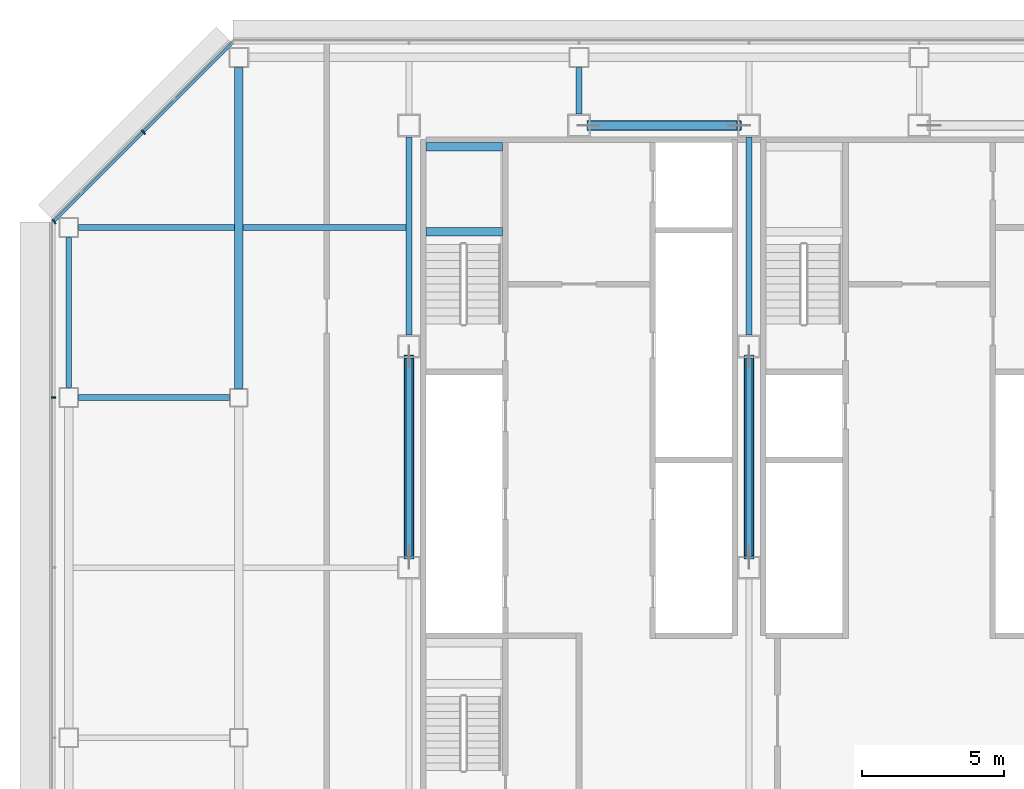
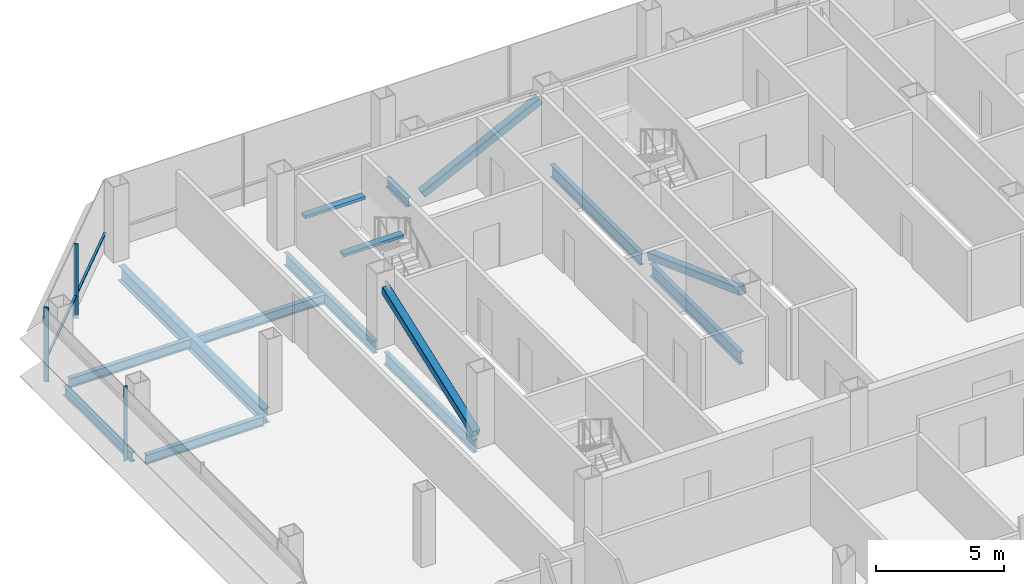
# One storey, part 11 of 26: 12 beams, 7 members, 2 elements without a shape of their own.
"""IFC4 building model written with IfcOpenShell, lengths in metres."""

from ifc_helpers import new_model, si_unit, direction, frame, origin, origin_2d, place, context, subcontext, project, spatial, rectangle, hollow_rectangle, i_section, extrude, material, material_profile, profile_set, type_object, element, aggregate, save


model = new_model("IFC4")

# Units and contexts
model_context = context("Model", 3, precision=1e-05, world=origin(), true_north=direction((0.0, 1.0)))
body_context = subcontext(model_context, "Body", "Model", "MODEL_VIEW")
ifc_project = project(units=[si_unit("LENGTHUNIT", "METRE"), si_unit("AREAUNIT", "SQUARE_METRE"), si_unit("VOLUMEUNIT", "CUBIC_METRE"), si_unit("PLANEANGLEUNIT", "RADIAN"), si_unit("MASSUNIT", "GRAM", prefix="KILO")], contexts=[model_context])

# Site, building, storey
site_placement = place(None, origin())
site = spatial("IfcSite", under=ifc_project, at=site_placement, CompositionType="ELEMENT")
building_placement = place(site_placement, origin())
building = spatial("IfcBuilding", under=site, at=building_placement, Name="Sorahane Residences", CompositionType="ELEMENT")
storey_placement = place(building_placement, frame((0.0, 0.0, 158.199951171875)))
storey = spatial("IfcBuildingStorey", under=building, at=storey_placement, Name="L36", CompositionType="ELEMENT", Elevation=158.199951171875)

# Members
ifc_material_1 = material(Name="Steel Q355B", Category="steel")
ifc_material_profile_1 = material_profile(ifc_material_1, hollow_rectangle(XDim=0.35009765625, YDim=0.35009765625, WallThickness=0.01806640625, InnerFilletRadius=0.009033203125, OuterFilletRadius=0.027099609375, at=origin_2d()), Name="RHS 350x350x18")
ifc_profile_set_1 = profile_set([ifc_material_profile_1], Name="Steel Q355B")
member_type_1 = type_object("IfcMemberType", Name="Core brace RHS 350x350x18 Q355B", PredefinedType="BRACE", material=ifc_profile_set_1)
member_1_placement = place(storey_placement, frame((12.353271484375, 45.60009765625, 0.15185546875), z_axis=(0.895794646235, 0.0, 0.444468167337), x_axis=(0.0, 1.0, 0.0)))
element("IfcMember", 1, at=member_1_placement, inside=storey, type_object=member_type_1, Name="Core brace L36 y45.6-2", PredefinedType="BRACE", context=body_context, shape_type="SweptSolid", body=[
    extrude(hollow_rectangle(XDim=0.35009765625, YDim=0.35009765625, WallThickness=0.01806640625, InnerFilletRadius=0.009033203125, OuterFilletRadius=0.027099609375, at=origin_2d()), origin(), (0.0, 0.0, 1.0), 5.9091796875),
])
for number, where, z_axis, x_axis, name in (
    (2, (6.0, 30.36376953125, 0.16162109375), (0.0, 0.938298869466, 0.345825435096), (-1.0, 0.0, 0.0), "Core brace L36 x6-2"),
    (3, (18.0, 37.436279296875, 0.16162109375), (0.0, -0.938298869466, 0.345825435096), (1.0, 0.0, 0.0), "Core brace L36 x18-1"),
):
    element("IfcMember", number, at=place(storey_placement, frame(where, z_axis=z_axis, x_axis=x_axis)), inside=storey, type_object=member_type_1, Name=name, PredefinedType="BRACE", context=body_context, shape_type="SweptSolid", body=[
        extrude(hollow_rectangle(XDim=0.35009765625, YDim=0.35009765625, WallThickness=0.01806640625, InnerFilletRadius=0.009033203125, OuterFilletRadius=0.027099609375, at=origin_2d()), origin(), (0.0, 0.0, 1.0), 7.53759765625),
    ])

# Curtain wall, member
ifc_material_2 = material(Name="Dark low-e glass and black anodised aluminium", Category="aluminium")
curtain_wall_type_1 = type_object("IfcCurtainWallType", Name="Curtain wall CW-1 Typical unitised wall", PredefinedType="NOTDEFINED", material=ifc_material_2)
curtain_wall_1_placement = place(storey_placement, origin())
curtain_wall_1 = element("IfcCurtainWall", 4, at=curtain_wall_1_placement, inside=storey, type_object=curtain_wall_type_1, Name="CW-1 curtain wall L36 W1", PredefinedType="NOTDEFINED")
ifc_material_3 = material(Name="Black anodised aluminium", Category="aluminium")
ifc_material_profile_2 = material_profile(ifc_material_3, rectangle(XDim=0.159912109375, YDim=0.050048828125, at=origin_2d()), Name="Curtain wall mullion CW-1 black anodised aluminium 50x160")
ifc_profile_set_2 = profile_set([ifc_material_profile_2], Name="Black anodised aluminium")
member_type_2 = type_object("IfcMemberType", Name="Curtain wall mullion CW-1 black anodised aluminium 50x160", PredefinedType="MULLION", material=ifc_profile_set_2)
member_2_placement = place(storey_placement, frame((-6.5400390625, 36.0, -0.179931640625), z_axis=(0.0, 0.0, 1.0), x_axis=(-1.0, 0.0, 0.0)))
member_2 = element("IfcMember", 5, at=member_2_placement, type_object=member_type_2, Name="CW-1 mullion L36 W1.2", PredefinedType="MULLION", context=body_context, shape_type="SweptSolid", body=[
    extrude(rectangle(XDim=0.159912109375, YDim=0.050048828125, at=origin_2d()), origin(), (0.0, 0.0, 1.0), 3.56005859375),
])
aggregate(curtain_wall_1, [member_2])

# Curtain wall, members
ifc_material_4 = material(Name="Dark low-e glass and black anodised aluminium", Category="aluminium")
curtain_wall_type_2 = type_object("IfcCurtainWallType", Name="Curtain wall CW-2 Chamfer unitised wall", PredefinedType="NOTDEFINED", material=ifc_material_4)
curtain_wall_2_placement = place(storey_placement, origin())
curtain_wall_2 = element("IfcCurtainWall", 6, at=curtain_wall_2_placement, inside=storey, type_object=curtain_wall_type_2, Name="CW-2 curtain wall L36 NW1", PredefinedType="NOTDEFINED")
ifc_material_5 = material(Name="Black anodised aluminium", Category="aluminium")
ifc_material_profile_3 = material_profile(ifc_material_5, rectangle(XDim=0.199951171875, YDim=0.050048828125, at=origin_2d()), Name="Curtain wall mullion CW-2 black anodised aluminium 50x200")
ifc_profile_set_3 = profile_set([ifc_material_profile_3], Name="Black anodised aluminium")
member_type_3 = type_object("IfcMemberType", Name="Curtain wall mullion CW-2 black anodised aluminium 50x200", PredefinedType="MULLION", material=ifc_profile_set_3)
member_3_placement = place(storey_placement, frame((-3.36767578125, 45.36767578125, -0.179931640625), z_axis=(0.0, 0.0, 1.0), x_axis=(-0.707106781187, 0.707106781187, 0.0)))
member_3 = element("IfcMember", 7, at=member_3_placement, type_object=member_type_3, Name="CW-2 mullion L36 NW1.2", PredefinedType="MULLION", context=body_context, shape_type="SweptSolid", body=[
    extrude(rectangle(XDim=0.199951171875, YDim=0.050048828125, at=origin_2d()), origin(), (0.0, 0.0, 1.0), 3.56005859375),
])
member_4_placement = place(storey_placement, frame((-6.525634765625, 42.209716796875, -0.179931640625), z_axis=(0.0, 0.0, 1.0), x_axis=(-0.707106781187, 0.707106781187, 0.0)))
member_4 = element("IfcMember", 8, at=member_4_placement, type_object=member_type_3, Name="CW-2 mullion L36 NW1.3", PredefinedType="MULLION", context=body_context, shape_type="SweptSolid", body=[
    extrude(rectangle(XDim=0.199951171875, YDim=0.050048828125, at=origin_2d()), origin(), (0.0, 0.0, 1.0), 3.56005859375),
])
ifc_material_6 = material(Name="Black anodised aluminium", Category="aluminium")
ifc_material_profile_4 = material_profile(ifc_material_6, rectangle(XDim=0.10009765625, YDim=0.06005859375, at=origin_2d()), Name="Curtain wall transom CW-2 black anodised aluminium 60x100")
ifc_profile_set_4 = profile_set([ifc_material_profile_4], Name="Black anodised aluminium")
member_type_4 = type_object("IfcMemberType", Name="Curtain wall transom CW-2 black anodised aluminium 60x100", PredefinedType="USERDEFINED", material=ifc_profile_set_4)
member_5_placement = place(storey_placement, frame((-0.234375, 48.51513671875, 0.900146484375), z_axis=(-0.707106781187, -0.707106781187, 0.0), x_axis=(0.707106781187, -0.707106781187, 0.0)))
member_5 = element("IfcMember", 9, at=member_5_placement, type_object=member_type_4, Name="CW-2 transom L36 NW1", ObjectType="TRANSOM", PredefinedType="USERDEFINED", context=body_context, shape_type="SweptSolid", body=[
    extrude(rectangle(XDim=0.10009765625, YDim=0.06005859375, at=origin_2d()), origin(), (0.0, 0.0, 1.0), 8.88232421875),
])
aggregate(curtain_wall_2, [member_3, member_4, member_5])

# Beams
ifc_material_7 = material(Name="Concrete C40", Category="concrete")
ifc_material_profile_5 = material_profile(ifc_material_7, rectangle(XDim=0.300048828125, YDim=0.139892578125, at=origin_2d()), Name="300x140")
ifc_profile_set_5 = profile_set([ifc_material_profile_5], Name="Concrete C40")
beam_type_1 = type_object("IfcBeamType", Name="RC landing beam 300 x 140 Concrete C40", PredefinedType="BEAM", material=ifc_profile_set_5)
for number, where, z_axis, x_axis, name in (
    (10, (6.60009765625, 41.85009765625, 1.530029296875), (1.0, 0.0, 0.0), (0.0, 1.0, 0.0), "Landing beam"),
    (11, (6.60009765625, 44.85009765625, 1.530029296875), (1.0, 0.0, 0.0), (0.0, 1.0, 0.0), "Landing beam"),
):
    element("IfcBeam", number, at=place(storey_placement, frame(where, z_axis=z_axis, x_axis=x_axis)), inside=storey, type_object=beam_type_1, Name=name, PredefinedType="BEAM", context=body_context, shape_type="SweptSolid", body=[
        extrude(rectangle(XDim=0.300048828125, YDim=0.139892578125, at=origin_2d()), origin(), (0.0, 0.0, 1.0), 2.699951171875),
    ])
ifc_material_8 = material(Name="Steel Q355B", Category="steel")
ifc_material_profile_6 = material_profile(ifc_material_8, i_section(OverallWidth=0.199951171875, OverallDepth=0.449951171875, WebThickness=0.009033203125, FlangeThickness=0.013916015625, FilletRadius=0.02001953125, at=origin_2d()), Name="HN 450x200x9x14")
ifc_profile_set_6 = profile_set([ifc_material_profile_6], Name="Steel Q355B")
beam_type_2 = type_object("IfcBeamType", Name="Steel floor beam HN 450x200x9x14 Q355B", PredefinedType="BEAM", material=ifc_profile_set_6)
beam_1_placement = place(storey_placement, frame((-5.64990234375, 36.0, -0.405029296875), z_axis=(1.0, 0.0, 0.0), x_axis=(0.0, 1.0, 0.0)))
element("IfcBeam", 12, at=beam_1_placement, inside=storey, type_object=beam_type_2, Name="Beam L36 013", PredefinedType="BEAM", context=body_context, shape_type="SweptSolid", body=[
    extrude(i_section(OverallWidth=0.199951171875, OverallDepth=0.449951171875, WebThickness=0.009033203125, FlangeThickness=0.013916015625, FilletRadius=0.02001953125, at=origin_2d()), origin(), (0.0, 0.0, 1.0), 5.324951171875),
])
beam_2_placement = place(storey_placement, frame((-6.0, 36.35009765625, -0.405029296875), z_axis=(0.0, 1.0, 0.0), x_axis=(-1.0, 0.0, 0.0)))
element("IfcBeam", 13, at=beam_2_placement, inside=storey, type_object=beam_type_2, Name="Beam L36 023", PredefinedType="BEAM", context=body_context, shape_type="SweptSolid", body=[
    extrude(i_section(OverallWidth=0.199951171875, OverallDepth=0.449951171875, WebThickness=0.009033203125, FlangeThickness=0.013916015625, FilletRadius=0.02001953125, at=origin_2d()), origin(), (0.0, 0.0, 1.0), 5.2998046875),
])
beam_3_placement = place(storey_placement, frame((12.0, 46.0, -0.405029296875), z_axis=(0.0, 1.0, 0.0), x_axis=(-1.0, 0.0, 0.0)))
element("IfcBeam", 14, at=beam_3_placement, inside=storey, type_object=beam_type_2, Name="Beam L36 035", PredefinedType="BEAM", context=body_context, shape_type="SweptSolid", body=[
    extrude(i_section(OverallWidth=0.199951171875, OverallDepth=0.449951171875, WebThickness=0.009033203125, FlangeThickness=0.013916015625, FilletRadius=0.02001953125, at=origin_2d()), origin(), (0.0, 0.0, 1.0), 1.64990234375),
])
beam_4_placement = place(storey_placement, frame((-5.64990234375, 42.0, -0.405029296875), z_axis=(1.0, 0.0, 0.0), x_axis=(0.0, 1.0, 0.0)))
element("IfcBeam", 15, at=beam_4_placement, inside=storey, type_object=beam_type_2, Name="Beam L36 089", PredefinedType="BEAM", context=body_context, shape_type="SweptSolid", body=[
    extrude(i_section(OverallWidth=0.199951171875, OverallDepth=0.449951171875, WebThickness=0.009033203125, FlangeThickness=0.013916015625, FilletRadius=0.02001953125, at=origin_2d()), origin(), (0.0, 0.0, 1.0), 5.5),
])
beam_5_placement = place(storey_placement, frame((0.14990234375, 42.0, -0.405029296875), z_axis=(1.0, 0.0, 0.0), x_axis=(0.0, 1.0, 0.0)))
element("IfcBeam", 16, at=beam_5_placement, inside=storey, type_object=beam_type_2, Name="Beam L36 090", PredefinedType="BEAM", context=body_context, shape_type="SweptSolid", body=[
    extrude(i_section(OverallWidth=0.199951171875, OverallDepth=0.449951171875, WebThickness=0.009033203125, FlangeThickness=0.013916015625, FilletRadius=0.02001953125, at=origin_2d()), origin(), (0.0, 0.0, 1.0), 5.75),
])
ifc_material_9 = material(Name="Steel Q355B", Category="steel")
ifc_material_profile_7 = material_profile(ifc_material_9, i_section(OverallWidth=0.199951171875, OverallDepth=0.60009765625, WebThickness=0.010986328125, FlangeThickness=0.01708984375, FilletRadius=0.02392578125, at=origin_2d()), Name="HN 600x200x11x17")
ifc_profile_set_7 = profile_set([ifc_material_profile_7], Name="Steel Q355B")
beam_type_3 = type_object("IfcBeamType", Name="Steel floor beam HN 600x200x11x17 Q355B", PredefinedType="BEAM", material=ifc_profile_set_7)
for number, where, z_axis, x_axis, name in (
    (17, (6.0, 30.39990234375, -0.47998046875), (0.0, 1.0, 0.0), (-1.0, 0.0, 0.0), "Beam L36 031"),
    (18, (6.0, 38.199951171875, -0.47998046875), (0.0, 1.0, 0.0), (-1.0, 0.0, 0.0), "Beam L36 032"),
    (19, (18.0, 30.39990234375, -0.47998046875), (0.0, 1.0, 0.0), (-1.0, 0.0, 0.0), "Beam L36 039"),
    (20, (18.0, 38.199951171875, -0.47998046875), (0.0, 1.0, 0.0), (-1.0, 0.0, 0.0), "Beam L36 040"),
):
    element("IfcBeam", number, at=place(storey_placement, frame(where, z_axis=z_axis, x_axis=x_axis)), inside=storey, type_object=beam_type_3, Name=name, PredefinedType="BEAM", context=body_context, shape_type="SweptSolid", body=[
        extrude(i_section(OverallWidth=0.199951171875, OverallDepth=0.60009765625, WebThickness=0.010986328125, FlangeThickness=0.01708984375, FilletRadius=0.02392578125, at=origin_2d()), origin(), (0.0, 0.0, 1.0), 7.0),
    ])
ifc_material_10 = material(Name="Steel Q355B", Category="steel")
ifc_material_profile_8 = material_profile(ifc_material_10, i_section(OverallWidth=0.300048828125, OverallDepth=0.699951171875, WebThickness=0.012939453125, FlangeThickness=0.02392578125, FilletRadius=0.028076171875, at=origin_2d()), Name="HN 700x300x13x24")
ifc_profile_set_8 = profile_set([ifc_material_profile_8], Name="Steel Q355B")
beam_type_4 = type_object("IfcBeamType", Name="Steel floor beam HN 700x300x13x24 Q355B", PredefinedType="BEAM", material=ifc_profile_set_8)
beam_6_placement = place(storey_placement, frame((0.0, 36.324951171875, -0.530029296875), z_axis=(0.0, 1.0, 0.0), x_axis=(-1.0, 0.0, 0.0)))
element("IfcBeam", 21, at=beam_6_placement, inside=storey, type_object=beam_type_4, Name="Beam L36 027", PredefinedType="BEAM", context=body_context, shape_type="SweptSolid", body=[
    extrude(i_section(OverallWidth=0.300048828125, OverallDepth=0.699951171875, WebThickness=0.012939453125, FlangeThickness=0.02392578125, FilletRadius=0.028076171875, at=origin_2d()), origin(), (0.0, 0.0, 1.0), 11.324951171875),
])

save(model, "model.ifc")
